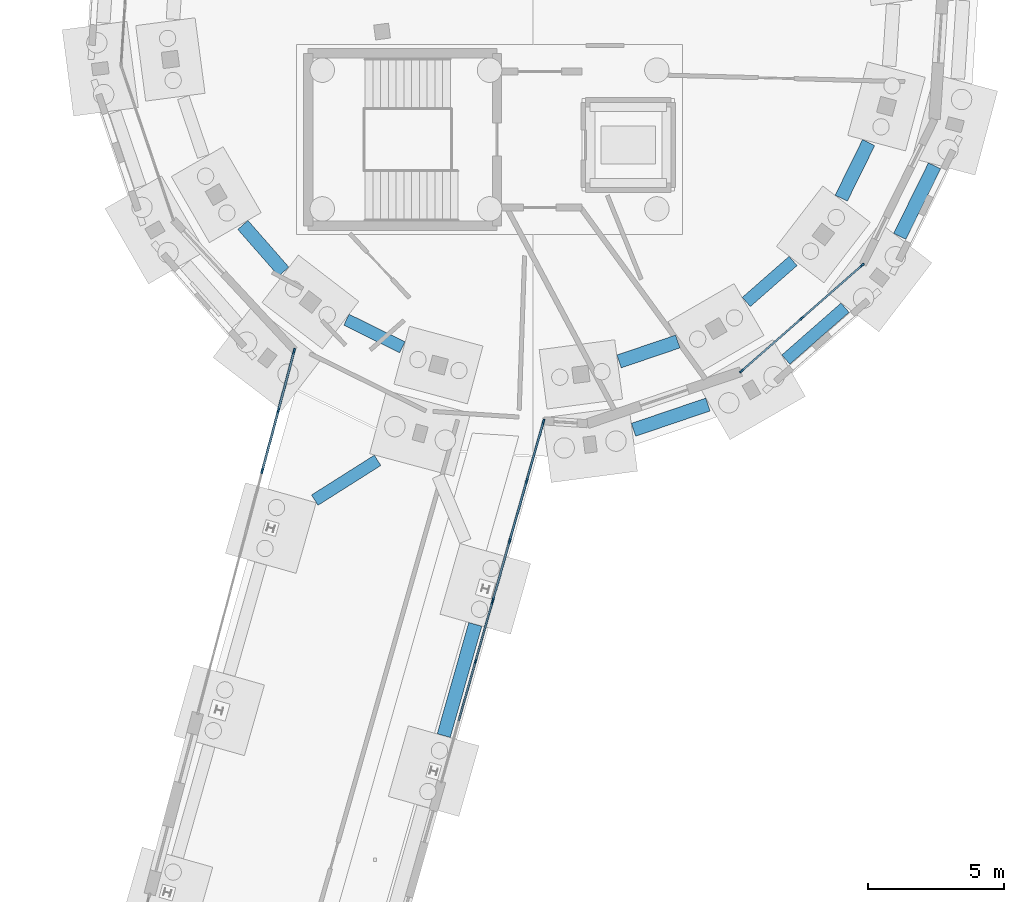
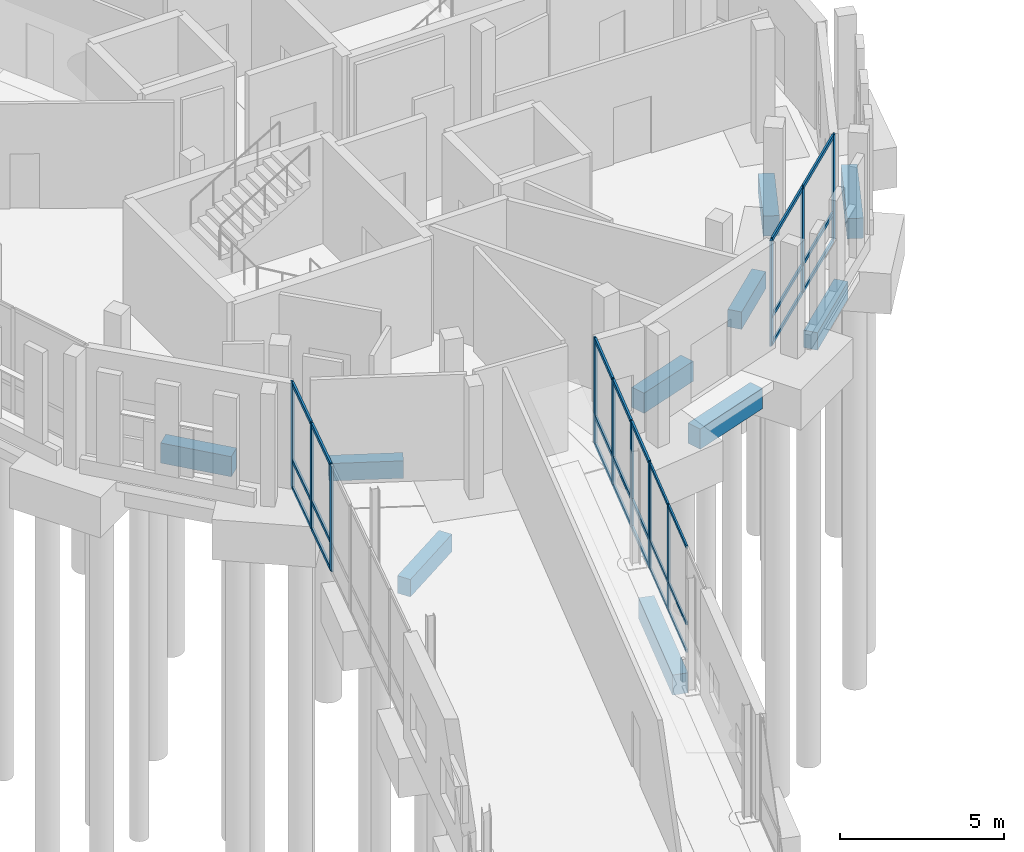
# One storey, part 58 of 113: 39 members, 10 beams, 4 elements without a shape of their own.
"""IFC4 building model written with IfcOpenShell, lengths in metres."""

from ifc_helpers import new_model, si_unit, direction, frame, origin, origin_2d, place, context, subcontext, project, spatial, rectangle, extrude, material, material_profile, profile_set, type_object, element, aggregate, save


model = new_model("IFC4")

# Units and contexts
model_context = context("Model", 3, precision=1e-05, world=origin(), true_north=direction((0.0, 1.0)))
body_context = subcontext(model_context, "Body", "Model", "MODEL_VIEW")
ifc_project = project(units=[si_unit("LENGTHUNIT", "METRE"), si_unit("AREAUNIT", "SQUARE_METRE"), si_unit("VOLUMEUNIT", "CUBIC_METRE"), si_unit("PLANEANGLEUNIT", "RADIAN"), si_unit("MASSUNIT", "GRAM", prefix="KILO")], contexts=[model_context])

# Site, building, storey
site_placement = place(None, origin())
site = spatial("IfcSite", under=ifc_project, at=site_placement, CompositionType="ELEMENT")
building_placement = place(site_placement, origin())
building = spatial("IfcBuilding", under=site, at=building_placement, Name="Wrenclough Park School", CompositionType="ELEMENT")
storey_placement = place(building_placement, origin())
storey = spatial("IfcBuildingStorey", under=building, at=storey_placement, Name="L00", CompositionType="ELEMENT", Elevation=0.0)

# Curtain wall, members
ifc_material_1 = material(Name="Thermally broken aluminium and low-e glass curtain wall", Category="aluminium")
curtain_wall_type_1 = type_object("IfcCurtainWallType", Name="ENV-CW-12", PredefinedType="USERDEFINED", material=ifc_material_1)
curtain_wall_1_placement = place(storey_placement, origin())
curtain_wall_1 = element("IfcCurtainWall", 1, at=curtain_wall_1_placement, inside=storey, type_object=curtain_wall_type_1, Name="L00 recessed curtain wall assembly 027", ObjectType="CURTAIN WALL", PredefinedType="USERDEFINED")
ifc_material_2 = material(Name="Thermally broken anodised aluminium", Category="aluminium")
ifc_material_profile_1 = material_profile(ifc_material_2, rectangle(XDim=0.06005859375, YDim=0.159912109375, at=origin_2d()), Name="AL MULLION 60x160")
ifc_profile_set_1 = profile_set([ifc_material_profile_1], Name="Thermally broken anodised aluminium")
member_type_1 = type_object("IfcMemberType", Name="ENV-CWM-1", PredefinedType="MULLION", material=ifc_profile_set_1)
member_1_placement = place(storey_placement, frame((173.002197265625, 71.7978515625, 0.0), z_axis=(0.0, 0.0, 1.0), x_axis=(0.96206825929, -0.272808842354, 0.0)))
member_1 = element("IfcMember", 2, at=member_1_placement, type_object=member_type_1, Name="CW-12 mullion 1", PredefinedType="MULLION", context=body_context, shape_type="SweptSolid", body=[
    extrude(rectangle(XDim=0.06005859375, YDim=0.159912109375, at=origin_2d()), origin(), (0.0, 0.0, 1.0), 3.93994140625),
])
member_2_placement = place(storey_placement, frame((172.384765625, 69.6201171875, 0.0), z_axis=(0.0, 0.0, 1.0), x_axis=(0.96206825929, -0.272808842354, 0.0)))
member_2 = element("IfcMember", 3, at=member_2_placement, type_object=member_type_1, Name="CW-12 mullion 2", PredefinedType="MULLION", context=body_context, shape_type="SweptSolid", body=[
    extrude(rectangle(XDim=0.06005859375, YDim=0.159912109375, at=origin_2d()), origin(), (0.0, 0.0, 1.0), 3.93994140625),
])

curtain_wall_type_2 = type_object("IfcCurtainWallType", Name="ENV-CW-10", PredefinedType="USERDEFINED", material=ifc_material_1)
curtain_wall_2_placement = place(storey_placement, origin())
curtain_wall_2 = element("IfcCurtainWall", 4, at=curtain_wall_2_placement, inside=storey, type_object=curtain_wall_type_2, Name="L00 recessed curtain wall assembly 025", ObjectType="CURTAIN WALL", PredefinedType="USERDEFINED")
ifc_material_profile_2 = material_profile(ifc_material_2, rectangle(XDim=0.06494140625, YDim=0.179931640625, at=origin_2d()), Name="AL MULLION 65x180")
ifc_profile_set_2 = profile_set([ifc_material_profile_2], Name="Thermally broken anodised aluminium")
member_type_2 = type_object("IfcMemberType", Name="ENV-CWM-2", PredefinedType="MULLION", material=ifc_profile_set_2)
member_3_placement = place(storey_placement, frame((186.593017578125, 84.175537109375, 0.0), z_axis=(0.0, 0.0, 1.0), x_axis=(0.65936519908, -0.751822807743, 0.0)))
member_3 = element("IfcMember", 5, at=member_3_placement, type_object=member_type_2, Name="CW-10 mullion 1", PredefinedType="MULLION", context=body_context, shape_type="SweptSolid", body=[
    extrude(rectangle(XDim=0.06494140625, YDim=0.179931640625, at=origin_2d()), origin(), (0.0, 0.0, 1.0), 3.93994140625),
])
member_4_placement = place(storey_placement, frame((184.379638671875, 82.234375, 0.0), z_axis=(0.0, 0.0, 1.0), x_axis=(0.65936519908, -0.751822807743, 0.0)))
member_4 = element("IfcMember", 6, at=member_4_placement, type_object=member_type_2, Name="CW-10 mullion 2", PredefinedType="MULLION", context=body_context, shape_type="SweptSolid", body=[
    extrude(rectangle(XDim=0.06494140625, YDim=0.179931640625, at=origin_2d()), origin(), (0.0, 0.0, 1.0), 3.93994140625),
])
member_5_placement = place(storey_placement, frame((182.166259765625, 80.293212890625, 0.0), z_axis=(0.0, 0.0, 1.0), x_axis=(0.65936519908, -0.751822807743, 0.0)))
member_5 = element("IfcMember", 7, at=member_5_placement, type_object=member_type_2, Name="CW-10 mullion 3", PredefinedType="MULLION", context=body_context, shape_type="SweptSolid", body=[
    extrude(rectangle(XDim=0.06494140625, YDim=0.179931640625, at=origin_2d()), origin(), (0.0, 0.0, 1.0), 3.93994140625),
])

curtain_wall_type_3 = type_object("IfcCurtainWallType", Name="ENV-CW-11", PredefinedType="USERDEFINED", material=ifc_material_1)
curtain_wall_3_placement = place(storey_placement, origin())
curtain_wall_3 = element("IfcCurtainWall", 8, at=curtain_wall_3_placement, inside=storey, type_object=curtain_wall_type_3, Name="L00 recessed curtain wall assembly 026", ObjectType="CURTAIN WALL", PredefinedType="USERDEFINED")
ifc_material_profile_3 = material_profile(ifc_material_2, rectangle(XDim=0.070068359375, YDim=0.199951171875, at=origin_2d()), Name="AL MULLION 70x200")
ifc_profile_set_3 = profile_set([ifc_material_profile_3], Name="Thermally broken anodised aluminium")
member_type_3 = type_object("IfcMemberType", Name="ENV-CWM-3", PredefinedType="MULLION", material=ifc_profile_set_3)
member_6_placement = place(storey_placement, frame((174.88037109375, 78.42041015625, 0.0), z_axis=(0.0, 0.0, 1.0), x_axis=(0.962063363218, -0.272826107905, 0.0)))
member_6 = element("IfcMember", 9, at=member_6_placement, type_object=member_type_3, Name="CW-11 mullion 1", PredefinedType="MULLION", context=body_context, shape_type="SweptSolid", body=[
    extrude(rectangle(XDim=0.070068359375, YDim=0.199951171875, at=origin_2d()), origin(), (0.0, 0.0, 1.0), 3.93994140625),
])
member_7_placement = place(storey_placement, frame((174.26416015625, 76.24755859375, 0.0), z_axis=(0.0, 0.0, 1.0), x_axis=(0.962063363218, -0.272826107905, 0.0)))
member_7 = element("IfcMember", 10, at=member_7_placement, type_object=member_type_3, Name="CW-11 mullion 2", PredefinedType="MULLION", context=body_context, shape_type="SweptSolid", body=[
    extrude(rectangle(XDim=0.070068359375, YDim=0.199951171875, at=origin_2d()), origin(), (0.0, 0.0, 1.0), 3.93994140625),
])
member_8_placement = place(storey_placement, frame((173.638427734375, 74.041015625, 0.0), z_axis=(0.0, 0.0, 1.0), x_axis=(0.962063363218, -0.272826107905, 0.0)))
member_8 = element("IfcMember", 11, at=member_8_placement, type_object=member_type_3, Name="CW-11 mullion 3", PredefinedType="MULLION", context=body_context, shape_type="SweptSolid", body=[
    extrude(rectangle(XDim=0.070068359375, YDim=0.199951171875, at=origin_2d()), origin(), (0.0, 0.0, 1.0), 3.93994140625),
])
member_9_placement = place(storey_placement, frame((173.022216796875, 71.867919921875, 0.0), z_axis=(0.0, 0.0, 1.0), x_axis=(0.962063363218, -0.272826107905, 0.0)))
member_9 = element("IfcMember", 12, at=member_9_placement, type_object=member_type_3, Name="CW-11 mullion 4", PredefinedType="MULLION", context=body_context, shape_type="SweptSolid", body=[
    extrude(rectangle(XDim=0.070068359375, YDim=0.199951171875, at=origin_2d()), origin(), (0.0, 0.0, 1.0), 3.93994140625),
])

curtain_wall_type_4 = type_object("IfcCurtainWallType", Name="ENV-CW-15", PredefinedType="USERDEFINED", material=ifc_material_1)
curtain_wall_4_placement = place(storey_placement, origin())
curtain_wall_4 = element("IfcCurtainWall", 13, at=curtain_wall_4_placement, inside=storey, type_object=curtain_wall_type_4, Name="L00 recessed curtain wall assembly 062", ObjectType="CURTAIN WALL", PredefinedType="USERDEFINED")
member_10_placement = place(storey_placement, frame((164.54150390625, 76.6162109375, 0.0), z_axis=(0.0, 0.0, 1.0), x_axis=(-0.966439051093, 0.256896011105, 0.0)))
member_10 = element("IfcMember", 14, at=member_10_placement, type_object=member_type_3, Name="CW-15 mullion 2", PredefinedType="MULLION", context=body_context, shape_type="SweptSolid", body=[
    extrude(rectangle(XDim=0.070068359375, YDim=0.199951171875, at=origin_2d()), origin(), (0.0, 0.0, 1.0), 3.93994140625),
])
member_11_placement = place(storey_placement, frame((165.1318359375, 78.8369140625, 0.0), z_axis=(0.0, 0.0, 1.0), x_axis=(-0.966439051093, 0.256896011105, 0.0)))
member_11 = element("IfcMember", 15, at=member_11_placement, type_object=member_type_3, Name="CW-15 mullion 3", PredefinedType="MULLION", context=body_context, shape_type="SweptSolid", body=[
    extrude(rectangle(XDim=0.070068359375, YDim=0.199951171875, at=origin_2d()), origin(), (0.0, 0.0, 1.0), 3.93994140625),
])
member_12_placement = place(storey_placement, frame((165.713134765625, 81.023681640625, 0.0), z_axis=(0.0, 0.0, 1.0), x_axis=(-0.966439051093, 0.256896011105, 0.0)))
member_12 = element("IfcMember", 16, at=member_12_placement, type_object=member_type_3, Name="CW-15 mullion 4", PredefinedType="MULLION", context=body_context, shape_type="SweptSolid", body=[
    extrude(rectangle(XDim=0.070068359375, YDim=0.199951171875, at=origin_2d()), origin(), (0.0, 0.0, 1.0), 3.93994140625),
])

# Member
ifc_material_profile_4 = material_profile(ifc_material_2, rectangle(XDim=0.06005859375, YDim=0.1201171875, at=origin_2d()), Name="AL TRANSOM 60x120")
ifc_profile_set_4 = profile_set([ifc_material_profile_4], Name="Thermally broken anodised aluminium")
member_type_4 = type_object("IfcMemberType", Name="ENV-CWT-1", PredefinedType="USERDEFINED", material=ifc_profile_set_4)
member_13_placement = place(storey_placement, frame((172.994140625, 71.76904296875, 0.030029296875), z_axis=(-0.272759819839, -0.962082159008, 0.0), x_axis=(0.962082159008, -0.272759819839, 0.0)))
member_13 = element("IfcMember", 17, at=member_13_placement, type_object=member_type_4, Name="CW-12 transom 1.1", ObjectType="TRANSOM", PredefinedType="USERDEFINED", context=body_context, shape_type="SweptSolid", body=[
    extrude(rectangle(XDim=0.06005859375, YDim=0.1201171875, at=origin_2d()), origin(), (0.0, 0.0, 1.0), 2.20361328125),
])

member_14_placement = place(storey_placement, frame((172.994140625, 71.76904296875, 1.050048828125), z_axis=(-0.272759819839, -0.962082159008, 0.0), x_axis=(0.962082159008, -0.272759819839, 0.0)))
member_14 = element("IfcMember", 18, at=member_14_placement, type_object=member_type_4, Name="CW-12 transom 1.2", ObjectType="TRANSOM", PredefinedType="USERDEFINED", context=body_context, shape_type="SweptSolid", body=[
    extrude(rectangle(XDim=0.06005859375, YDim=0.1201171875, at=origin_2d()), origin(), (0.0, 0.0, 1.0), 2.20361328125),
])

member_15_placement = place(storey_placement, frame((172.994140625, 71.76904296875, 3.909912109375), z_axis=(-0.272759819839, -0.962082159008, 0.0), x_axis=(0.962082159008, -0.272759819839, 0.0)))
member_15 = element("IfcMember", 19, at=member_15_placement, type_object=member_type_4, Name="CW-12 transom 1.3", ObjectType="TRANSOM", PredefinedType="USERDEFINED", context=body_context, shape_type="SweptSolid", body=[
    extrude(rectangle(XDim=0.06005859375, YDim=0.1201171875, at=origin_2d()), origin(), (0.0, 0.0, 1.0), 2.20361328125),
])

member_16_placement = place(storey_placement, frame((172.37646484375, 69.591064453125, 0.030029296875), z_axis=(-0.272713870313, -0.962095184968, 0.0), x_axis=(0.962095184968, -0.272713870313, 0.0)))
member_16 = element("IfcMember", 20, at=member_16_placement, type_object=member_type_4, Name="CW-12 transom 2.1", ObjectType="TRANSOM", PredefinedType="USERDEFINED", context=body_context, shape_type="SweptSolid", body=[
    extrude(rectangle(XDim=0.06005859375, YDim=0.1201171875, at=origin_2d()), origin(), (0.0, 0.0, 1.0), 2.233642578125),
])

member_17_placement = place(storey_placement, frame((172.37646484375, 69.591064453125, 1.050048828125), z_axis=(-0.272713870313, -0.962095184968, 0.0), x_axis=(0.962095184968, -0.272713870313, 0.0)))
member_17 = element("IfcMember", 21, at=member_17_placement, type_object=member_type_4, Name="CW-12 transom 2.2", ObjectType="TRANSOM", PredefinedType="USERDEFINED", context=body_context, shape_type="SweptSolid", body=[
    extrude(rectangle(XDim=0.06005859375, YDim=0.1201171875, at=origin_2d()), origin(), (0.0, 0.0, 1.0), 2.233642578125),
])

member_18_placement = place(storey_placement, frame((172.37646484375, 69.591064453125, 3.909912109375), z_axis=(-0.272713870313, -0.962095184968, 0.0), x_axis=(0.962095184968, -0.272713870313, 0.0)))
member_18 = element("IfcMember", 22, at=member_18_placement, type_object=member_type_4, Name="CW-12 transom 2.3", ObjectType="TRANSOM", PredefinedType="USERDEFINED", context=body_context, shape_type="SweptSolid", body=[
    extrude(rectangle(XDim=0.06005859375, YDim=0.1201171875, at=origin_2d()), origin(), (0.0, 0.0, 1.0), 2.233642578125),
])

aggregate(curtain_wall_1, [member_1, member_2, member_13, member_14, member_15, member_16, member_17, member_18])

ifc_material_profile_5 = material_profile(ifc_material_2, rectangle(XDim=0.06494140625, YDim=0.139892578125, at=origin_2d()), Name="AL TRANSOM 65x140")
ifc_profile_set_5 = profile_set([ifc_material_profile_5], Name="Thermally broken anodised aluminium")
member_type_5 = type_object("IfcMemberType", Name="ENV-CWT-2", PredefinedType="USERDEFINED", material=ifc_profile_set_5)
member_19_placement = place(storey_placement, frame((186.568603515625, 84.154052734375, 0.032470703125), z_axis=(-0.751809260191, -0.659380645979, 0.0), x_axis=(0.659380645979, -0.751809260191, 0.0)))
member_19 = element("IfcMember", 23, at=member_19_placement, type_object=member_type_5, Name="CW-10 transom 1.1", ObjectType="TRANSOM", PredefinedType="USERDEFINED", context=body_context, shape_type="SweptSolid", body=[
    extrude(rectangle(XDim=0.06494140625, YDim=0.139892578125, at=origin_2d()), origin(), (0.0, 0.0, 1.0), 2.879150390625),
])

member_20_placement = place(storey_placement, frame((186.568603515625, 84.154052734375, 1.050048828125), z_axis=(-0.751809260191, -0.659380645979, 0.0), x_axis=(0.659380645979, -0.751809260191, 0.0)))
member_20 = element("IfcMember", 24, at=member_20_placement, type_object=member_type_5, Name="CW-10 transom 1.2", ObjectType="TRANSOM", PredefinedType="USERDEFINED", context=body_context, shape_type="SweptSolid", body=[
    extrude(rectangle(XDim=0.06494140625, YDim=0.139892578125, at=origin_2d()), origin(), (0.0, 0.0, 1.0), 2.879150390625),
])

member_21_placement = place(storey_placement, frame((186.568603515625, 84.154052734375, 3.907470703125), z_axis=(-0.751809260191, -0.659380645979, 0.0), x_axis=(0.659380645979, -0.751809260191, 0.0)))
member_21 = element("IfcMember", 25, at=member_21_placement, type_object=member_type_5, Name="CW-10 transom 1.3", ObjectType="TRANSOM", PredefinedType="USERDEFINED", context=body_context, shape_type="SweptSolid", body=[
    extrude(rectangle(XDim=0.06494140625, YDim=0.139892578125, at=origin_2d()), origin(), (0.0, 0.0, 1.0), 2.879150390625),
])

member_22_placement = place(storey_placement, frame((184.355224609375, 82.212890625, 0.032470703125), z_axis=(-0.751809260191, -0.659380645979, 0.0), x_axis=(0.659380645979, -0.751809260191, 0.0)))
member_22 = element("IfcMember", 26, at=member_22_placement, type_object=member_type_5, Name="CW-10 transom 2.1", ObjectType="TRANSOM", PredefinedType="USERDEFINED", context=body_context, shape_type="SweptSolid", body=[
    extrude(rectangle(XDim=0.06494140625, YDim=0.139892578125, at=origin_2d()), origin(), (0.0, 0.0, 1.0), 2.879150390625),
])

member_23_placement = place(storey_placement, frame((184.355224609375, 82.212890625, 1.050048828125), z_axis=(-0.751809260191, -0.659380645979, 0.0), x_axis=(0.659380645979, -0.751809260191, 0.0)))
member_23 = element("IfcMember", 27, at=member_23_placement, type_object=member_type_5, Name="CW-10 transom 2.2", ObjectType="TRANSOM", PredefinedType="USERDEFINED", context=body_context, shape_type="SweptSolid", body=[
    extrude(rectangle(XDim=0.06494140625, YDim=0.139892578125, at=origin_2d()), origin(), (0.0, 0.0, 1.0), 2.879150390625),
])

member_24_placement = place(storey_placement, frame((184.355224609375, 82.212890625, 3.907470703125), z_axis=(-0.751809260191, -0.659380645979, 0.0), x_axis=(0.659380645979, -0.751809260191, 0.0)))
member_24 = element("IfcMember", 28, at=member_24_placement, type_object=member_type_5, Name="CW-10 transom 2.3", ObjectType="TRANSOM", PredefinedType="USERDEFINED", context=body_context, shape_type="SweptSolid", body=[
    extrude(rectangle(XDim=0.06494140625, YDim=0.139892578125, at=origin_2d()), origin(), (0.0, 0.0, 1.0), 2.879150390625),
])

aggregate(curtain_wall_2, [member_3, member_4, member_5, member_19, member_20, member_21, member_22, member_23, member_24])

ifc_material_profile_6 = material_profile(ifc_material_2, rectangle(XDim=0.070068359375, YDim=0.14990234375, at=origin_2d()), Name="AL TRANSOM 70x150")
ifc_profile_set_6 = profile_set([ifc_material_profile_6], Name="Thermally broken anodised aluminium")
member_type_6 = type_object("IfcMemberType", Name="ENV-CWT-3", PredefinedType="USERDEFINED", material=ifc_profile_set_6)
member_25_placement = place(storey_placement, frame((174.870849609375, 78.386962890625, 0.034912109375), z_axis=(-0.272834886609, -0.962060873671, 0.0), x_axis=(0.962060873671, -0.272834886609, 0.0)))
member_25 = element("IfcMember", 29, at=member_25_placement, type_object=member_type_6, Name="CW-11 transom 1.1", ObjectType="TRANSOM", PredefinedType="USERDEFINED", context=body_context, shape_type="SweptSolid", body=[
    extrude(rectangle(XDim=0.070068359375, YDim=0.14990234375, at=origin_2d()), origin(), (0.0, 0.0, 1.0), 2.188720703125),
])

member_26_placement = place(storey_placement, frame((174.870849609375, 78.386962890625, 1.050048828125), z_axis=(-0.272834886609, -0.962060873671, 0.0), x_axis=(0.962060873671, -0.272834886609, 0.0)))
member_26 = element("IfcMember", 30, at=member_26_placement, type_object=member_type_6, Name="CW-11 transom 1.2", ObjectType="TRANSOM", PredefinedType="USERDEFINED", context=body_context, shape_type="SweptSolid", body=[
    extrude(rectangle(XDim=0.070068359375, YDim=0.14990234375, at=origin_2d()), origin(), (0.0, 0.0, 1.0), 2.188720703125),
])

member_27_placement = place(storey_placement, frame((174.870849609375, 78.386962890625, 3.905029296875), z_axis=(-0.272834886609, -0.962060873671, 0.0), x_axis=(0.962060873671, -0.272834886609, 0.0)))
member_27 = element("IfcMember", 31, at=member_27_placement, type_object=member_type_6, Name="CW-11 transom 1.3", ObjectType="TRANSOM", PredefinedType="USERDEFINED", context=body_context, shape_type="SweptSolid", body=[
    extrude(rectangle(XDim=0.070068359375, YDim=0.14990234375, at=origin_2d()), origin(), (0.0, 0.0, 1.0), 2.188720703125),
])

member_28_placement = place(storey_placement, frame((174.254638671875, 76.2138671875, 0.034912109375), z_axis=(-0.272849885903, -0.962056619832, 0.0), x_axis=(0.962056619832, -0.272849885903, 0.0)))
member_28 = element("IfcMember", 32, at=member_28_placement, type_object=member_type_6, Name="CW-11 transom 2.1", ObjectType="TRANSOM", PredefinedType="USERDEFINED", context=body_context, shape_type="SweptSolid", body=[
    extrude(rectangle(XDim=0.070068359375, YDim=0.14990234375, at=origin_2d()), origin(), (0.0, 0.0, 1.0), 2.2236328125),
])

member_29_placement = place(storey_placement, frame((174.254638671875, 76.2138671875, 1.050048828125), z_axis=(-0.272849885903, -0.962056619832, 0.0), x_axis=(0.962056619832, -0.272849885903, 0.0)))
member_29 = element("IfcMember", 33, at=member_29_placement, type_object=member_type_6, Name="CW-11 transom 2.2", ObjectType="TRANSOM", PredefinedType="USERDEFINED", context=body_context, shape_type="SweptSolid", body=[
    extrude(rectangle(XDim=0.070068359375, YDim=0.14990234375, at=origin_2d()), origin(), (0.0, 0.0, 1.0), 2.2236328125),
])

member_30_placement = place(storey_placement, frame((174.254638671875, 76.2138671875, 3.905029296875), z_axis=(-0.272849885903, -0.962056619832, 0.0), x_axis=(0.962056619832, -0.272849885903, 0.0)))
member_30 = element("IfcMember", 34, at=member_30_placement, type_object=member_type_6, Name="CW-11 transom 2.3", ObjectType="TRANSOM", PredefinedType="USERDEFINED", context=body_context, shape_type="SweptSolid", body=[
    extrude(rectangle(XDim=0.070068359375, YDim=0.14990234375, at=origin_2d()), origin(), (0.0, 0.0, 1.0), 2.2236328125),
])

member_31_placement = place(storey_placement, frame((173.62890625, 74.00732421875, 0.034912109375), z_axis=(-0.272834886609, -0.962060873671, 0.0), x_axis=(0.962060873671, -0.272834886609, 0.0)))
member_31 = element("IfcMember", 35, at=member_31_placement, type_object=member_type_6, Name="CW-11 transom 3.1", ObjectType="TRANSOM", PredefinedType="USERDEFINED", context=body_context, shape_type="SweptSolid", body=[
    extrude(rectangle(XDim=0.070068359375, YDim=0.14990234375, at=origin_2d()), origin(), (0.0, 0.0, 1.0), 2.188720703125),
])

member_32_placement = place(storey_placement, frame((173.62890625, 74.00732421875, 1.050048828125), z_axis=(-0.272834886609, -0.962060873671, 0.0), x_axis=(0.962060873671, -0.272834886609, 0.0)))
member_32 = element("IfcMember", 36, at=member_32_placement, type_object=member_type_6, Name="CW-11 transom 3.2", ObjectType="TRANSOM", PredefinedType="USERDEFINED", context=body_context, shape_type="SweptSolid", body=[
    extrude(rectangle(XDim=0.070068359375, YDim=0.14990234375, at=origin_2d()), origin(), (0.0, 0.0, 1.0), 2.188720703125),
])

member_33_placement = place(storey_placement, frame((173.62890625, 74.00732421875, 3.905029296875), z_axis=(-0.272834886609, -0.962060873671, 0.0), x_axis=(0.962060873671, -0.272834886609, 0.0)))
member_33 = element("IfcMember", 37, at=member_33_placement, type_object=member_type_6, Name="CW-11 transom 3.3", ObjectType="TRANSOM", PredefinedType="USERDEFINED", context=body_context, shape_type="SweptSolid", body=[
    extrude(rectangle(XDim=0.070068359375, YDim=0.14990234375, at=origin_2d()), origin(), (0.0, 0.0, 1.0), 2.188720703125),
])

aggregate(curtain_wall_3, [member_6, member_7, member_8, member_9, member_25, member_26, member_27, member_28, member_29, member_30, member_31, member_32, member_33])

member_34_placement = place(storey_placement, frame((164.550537109375, 76.64990234375, 0.034912109375), z_axis=(0.256871356889, 0.966445604269, 0.0), x_axis=(-0.966445604269, 0.256871356889, 0.0)))
member_34 = element("IfcMember", 38, at=member_34_placement, type_object=member_type_6, Name="CW-15 transom 2.1", ObjectType="TRANSOM", PredefinedType="USERDEFINED", context=body_context, shape_type="SweptSolid", body=[
    extrude(rectangle(XDim=0.070068359375, YDim=0.14990234375, at=origin_2d()), origin(), (0.0, 0.0, 1.0), 2.227783203125),
])

member_35_placement = place(storey_placement, frame((164.550537109375, 76.64990234375, 1.050048828125), z_axis=(0.256871356889, 0.966445604269, 0.0), x_axis=(-0.966445604269, 0.256871356889, 0.0)))
member_35 = element("IfcMember", 39, at=member_35_placement, type_object=member_type_6, Name="CW-15 transom 2.2", ObjectType="TRANSOM", PredefinedType="USERDEFINED", context=body_context, shape_type="SweptSolid", body=[
    extrude(rectangle(XDim=0.070068359375, YDim=0.14990234375, at=origin_2d()), origin(), (0.0, 0.0, 1.0), 2.227783203125),
])

member_36_placement = place(storey_placement, frame((164.550537109375, 76.64990234375, 3.905029296875), z_axis=(0.256871356889, 0.966445604269, 0.0), x_axis=(-0.966445604269, 0.256871356889, 0.0)))
member_36 = element("IfcMember", 40, at=member_36_placement, type_object=member_type_6, Name="CW-15 transom 2.3", ObjectType="TRANSOM", PredefinedType="USERDEFINED", context=body_context, shape_type="SweptSolid", body=[
    extrude(rectangle(XDim=0.070068359375, YDim=0.14990234375, at=origin_2d()), origin(), (0.0, 0.0, 1.0), 2.227783203125),
])

member_37_placement = place(storey_placement, frame((165.140869140625, 78.87060546875, 0.034912109375), z_axis=(0.256865614096, 0.966447130626, 0.0), x_axis=(-0.966447130626, 0.256865614096, 0.0)))
member_37 = element("IfcMember", 41, at=member_37_placement, type_object=member_type_6, Name="CW-15 transom 3.1", ObjectType="TRANSOM", PredefinedType="USERDEFINED", context=body_context, shape_type="SweptSolid", body=[
    extrude(rectangle(XDim=0.070068359375, YDim=0.14990234375, at=origin_2d()), origin(), (0.0, 0.0, 1.0), 2.192626953125),
])

member_38_placement = place(storey_placement, frame((165.140869140625, 78.87060546875, 1.050048828125), z_axis=(0.256865614096, 0.966447130626, 0.0), x_axis=(-0.966447130626, 0.256865614096, 0.0)))
member_38 = element("IfcMember", 42, at=member_38_placement, type_object=member_type_6, Name="CW-15 transom 3.2", ObjectType="TRANSOM", PredefinedType="USERDEFINED", context=body_context, shape_type="SweptSolid", body=[
    extrude(rectangle(XDim=0.070068359375, YDim=0.14990234375, at=origin_2d()), origin(), (0.0, 0.0, 1.0), 2.192626953125),
])

member_39_placement = place(storey_placement, frame((165.140869140625, 78.87060546875, 3.905029296875), z_axis=(0.256865614096, 0.966447130626, 0.0), x_axis=(-0.966447130626, 0.256865614096, 0.0)))
member_39 = element("IfcMember", 43, at=member_39_placement, type_object=member_type_6, Name="CW-15 transom 3.3", ObjectType="TRANSOM", PredefinedType="USERDEFINED", context=body_context, shape_type="SweptSolid", body=[
    extrude(rectangle(XDim=0.070068359375, YDim=0.14990234375, at=origin_2d()), origin(), (0.0, 0.0, 1.0), 2.192626953125),
])

aggregate(curtain_wall_4, [member_10, member_11, member_12, member_34, member_35, member_36, member_37, member_38, member_39])

# Beams
ifc_material_3 = material(Name="Concrete C35/45", Category="concrete")
ifc_material_profile_7 = material_profile(ifc_material_3, rectangle(XDim=0.449951171875, YDim=0.64990234375, at=origin_2d()), Name="RC GROUND 450x650")
ifc_profile_set_7 = profile_set([ifc_material_profile_7], Name="Concrete C35/45")
beam_type_1 = type_object("IfcBeamType", Name="STR-BM-GTB1", PredefinedType="USERDEFINED", material=ifc_profile_set_7)
beam_1_placement = place(storey_placement, frame((183.790771484375, 80.710205078125, -0.64990234375), z_axis=(0.751803112244, 0.659387655647, 0.0), x_axis=(-0.659387655647, 0.751803112244, 0.0)))
element("IfcBeam", 44, at=beam_1_placement, inside=storey, type_object=beam_type_1, Name="Reinforced concrete ground tie beam 101", ObjectType="GROUND TIE BEAM", PredefinedType="USERDEFINED", context=body_context, shape_type="SweptSolid", body=[
    extrude(rectangle(XDim=0.449951171875, YDim=0.64990234375, at=origin_2d()), origin(), (0.0, 0.0, 1.0), 2.895263671875),
])
beam_2_placement = place(storey_placement, frame((167.63916015625, 82.175048828125, -0.64990234375), z_axis=(0.896845945585, -0.442343022876, 0.0), x_axis=(0.442343022876, 0.896845945585, 0.0)))
element("IfcBeam", 45, at=beam_2_placement, inside=storey, type_object=beam_type_1, Name="Reinforced concrete ground tie beam 113", ObjectType="GROUND TIE BEAM", PredefinedType="USERDEFINED", context=body_context, shape_type="SweptSolid", body=[
    extrude(rectangle(XDim=0.449951171875, YDim=0.64990234375, at=origin_2d()), origin(), (0.0, 0.0, 1.0), 2.288818359375),
])
beam_3_placement = place(storey_placement, frame((182.33740234375, 82.82763671875, -0.64990234375), z_axis=(0.751836111708, 0.659350029295, 0.0), x_axis=(-0.659350029295, 0.751836111708, 0.0)))
element("IfcBeam", 46, at=beam_3_placement, inside=storey, type_object=beam_type_1, Name="Reinforced concrete ground tie beam 115", ObjectType="GROUND TIE BEAM", PredefinedType="USERDEFINED", context=body_context, shape_type="SweptSolid", body=[
    extrude(rectangle(XDim=0.449951171875, YDim=0.64990234375, at=origin_2d()), origin(), (0.0, 0.0, 1.0), 2.28857421875),
])
beam_4_placement = place(storey_placement, frame((166.472412109375, 75.54296875, -0.625), z_axis=(0.844773344396, 0.535124281451, 0.0), x_axis=(-0.535124281451, 0.844773344396, 0.0)))
element("IfcBeam", 47, at=beam_4_placement, inside=storey, type_object=beam_type_1, Name="Reinforced concrete ground tie beam 153", ObjectType="GROUND TIE BEAM", PredefinedType="USERDEFINED", context=body_context, shape_type="SweptSolid", body=[
    extrude(rectangle(XDim=0.449951171875, YDim=0.64990234375, at=origin_2d()), origin(), (0.0, 0.0, 1.0), 2.735107421875),
])
ifc_material_profile_8 = material_profile(ifc_material_3, rectangle(XDim=0.5, YDim=0.75, at=origin_2d()), Name="RC GROUND 500x750")
ifc_profile_set_8 = profile_set([ifc_material_profile_8], Name="Concrete C35/45")
beam_type_2 = type_object("IfcBeamType", Name="STR-BM-GTB2", PredefinedType="USERDEFINED", material=ifc_profile_set_8)
beam_5_placement = place(storey_placement, frame((178.19287109375, 78.129638671875, -0.699951171875), z_axis=(0.946918502256, 0.321473716009, 0.0), x_axis=(-0.321473716009, 0.946918502256, 0.0)))
element("IfcBeam", 48, at=beam_5_placement, inside=storey, type_object=beam_type_2, Name="Reinforced concrete ground tie beam 100", ObjectType="GROUND TIE BEAM", PredefinedType="USERDEFINED", context=body_context, shape_type="SweptSolid", body=[
    extrude(rectangle(XDim=0.5, YDim=0.75, at=origin_2d()), origin(), (0.0, 0.0, 1.0), 2.887451171875),
])
beam_6_placement = place(storey_placement, frame((187.979736328125, 85.242919921875, -0.699951171875), z_axis=(0.442234716203, 0.896899356553, 0.0), x_axis=(-0.896899356553, 0.442234716203, 0.0)))
element("IfcBeam", 49, at=beam_6_placement, inside=storey, type_object=beam_type_2, Name="Reinforced concrete ground tie beam 102", ObjectType="GROUND TIE BEAM", PredefinedType="USERDEFINED", context=body_context, shape_type="SweptSolid", body=[
    extrude(rectangle(XDim=0.5, YDim=0.75, at=origin_2d()), origin(), (0.0, 0.0, 1.0), 2.88720703125),
])
for number, where, z_axis, x_axis, name in (
    (50, (163.830078125, 85.65966796875, -0.699951171875), (0.6593529137, -0.751833582115, 0.0), (0.751833582115, 0.6593529137, 0.0), "Reinforced concrete ground tie beam 112"),
    (51, (177.660400390625, 80.64208984375, -0.699951171875), (0.94696765005, 0.321328912111, 0.0), (-0.321328912111, 0.94696765005, 0.0), "Reinforced concrete ground tie beam 114"),
):
    element("IfcBeam", number, at=place(storey_placement, frame(where, z_axis=z_axis, x_axis=x_axis)), inside=storey, type_object=beam_type_2, Name=name, ObjectType="GROUND TIE BEAM", PredefinedType="USERDEFINED", context=body_context, shape_type="SweptSolid", body=[
        extrude(rectangle(XDim=0.5, YDim=0.75, at=origin_2d()), origin(), (0.0, 0.0, 1.0), 2.28076171875),
    ])
beam_7_placement = place(storey_placement, frame((185.826904296875, 86.642822265625, -0.699951171875), z_axis=(0.442239400802, 0.8968970467, 0.0), x_axis=(-0.8968970467, 0.442239400802, 0.0)))
element("IfcBeam", 52, at=beam_7_placement, inside=storey, type_object=beam_type_2, Name="Reinforced concrete ground tie beam 116", ObjectType="GROUND TIE BEAM", PredefinedType="USERDEFINED", context=body_context, shape_type="SweptSolid", body=[
    extrude(rectangle(XDim=0.5, YDim=0.75, at=origin_2d()), origin(), (0.0, 0.0, 1.0), 2.280517578125),
])
beam_8_placement = place(storey_placement, frame((171.215087890625, 66.887939453125, -0.675048828125), z_axis=(0.272815367024, 0.962066409098, 0.0), x_axis=(-0.962066409098, 0.272815367024, 0.0)))
element("IfcBeam", 53, at=beam_8_placement, inside=storey, type_object=beam_type_2, Name="Reinforced concrete ground tie beam 152", ObjectType="GROUND TIE BEAM", PredefinedType="USERDEFINED", context=body_context, shape_type="SweptSolid", body=[
    extrude(rectangle(XDim=0.5, YDim=0.75, at=origin_2d()), origin(), (0.0, 0.0, 1.0), 4.248046875),
])

save(model, "model.ifc")
